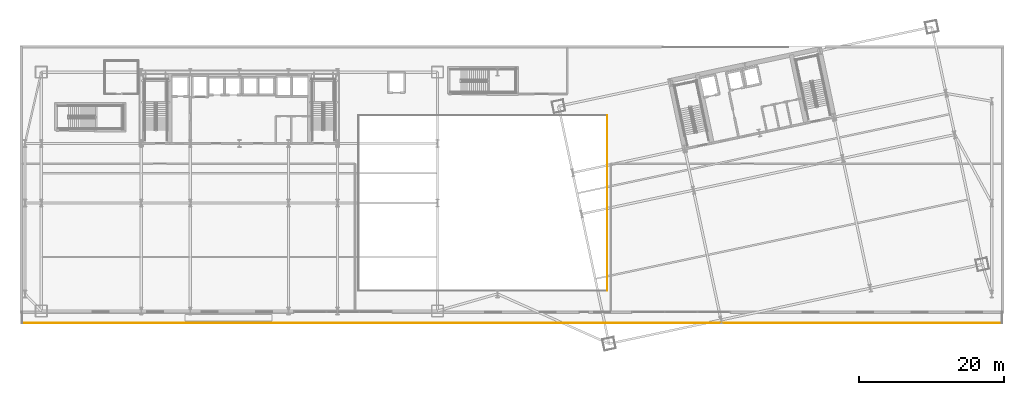
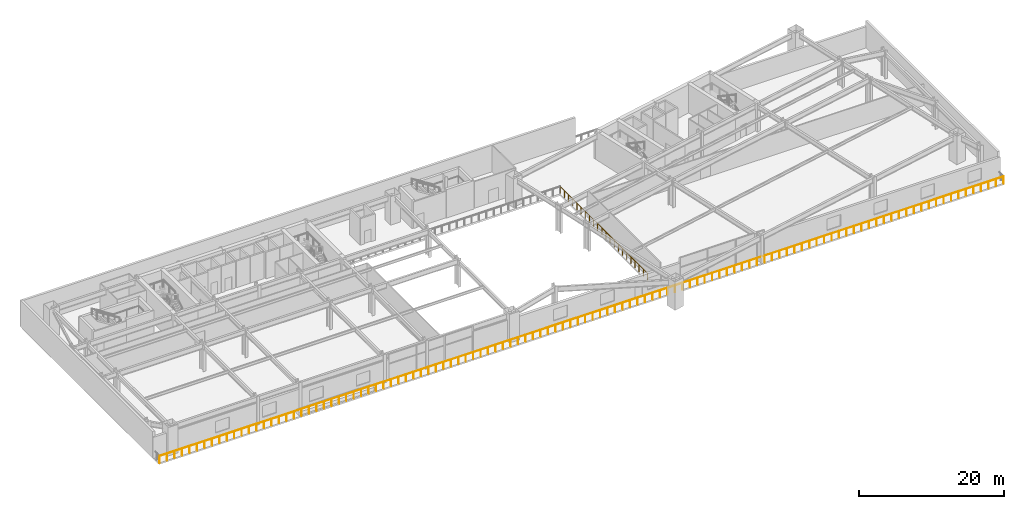
# One storey, part 24 of 28: 2 railings.
"""IFC4 building model written with IfcOpenShell, lengths in metres."""

from ifc_helpers import new_model, si_unit, direction, frame, origin, origin_2d, place, context, subcontext, project, spatial, rectangle, extrude, material, type_object, element, save


model = new_model("IFC4")

# Units and contexts
model_context = context("Model", 3, precision=1e-05, world=origin(), true_north=direction((0.0, 1.0)))
body_context = subcontext(model_context, "Body", "Model", "MODEL_VIEW")
ifc_project = project(units=[si_unit("LENGTHUNIT", "METRE"), si_unit("AREAUNIT", "SQUARE_METRE"), si_unit("VOLUMEUNIT", "CUBIC_METRE"), si_unit("PLANEANGLEUNIT", "RADIAN"), si_unit("MASSUNIT", "GRAM", prefix="KILO")], contexts=[model_context])

# Site, building, storey
site_placement = place(None, origin())
site = spatial("IfcSite", under=ifc_project, at=site_placement, CompositionType="ELEMENT")
building_placement = place(site_placement, origin())
building = spatial("IfcBuilding", under=site, at=building_placement, Name="Haevon Station Towers", CompositionType="ELEMENT")
storey_placement = place(building_placement, frame((0.0, 0.0, 10.800048828125)))
storey = spatial("IfcBuildingStorey", under=building, at=storey_placement, Name="L02", CompositionType="ELEMENT", Elevation=10.800048828125)

# Railings
ifc_material = material(Name="Steel S355", Category="steel")
railing_type_1 = type_object("IfcRailingType", Name="BAL-ATR1200", PredefinedType="BALUSTRADE", material=ifc_material)
railing_1_placement = place(storey_placement, frame((88.09814453125, 17.930908203125, 0.0)))
element("IfcRailing", 1, at=railing_1_placement, inside=storey, type_object=railing_type_1, Name="L02 Atrium Void Balustrade 2", PredefinedType="BALUSTRADE", context=body_context, shape_type="SweptSolid", body=[
    extrude(rectangle(XDim=0.048095703125, YDim=0.048095703125, at=origin_2d()), frame((0.0, 0.0, 1.17578125), z_axis=(0.0, 1.0, 0.0), x_axis=(-1.0, 0.0, 0.0)), (0.0, 0.0, 1.0), 24.13818359375),
    extrude(rectangle(XDim=0.0419921875, YDim=0.0419921875, at=origin_2d()), origin(), (0.0, 0.0, 1.0), 1.15185546875),
    extrude(rectangle(XDim=0.0419921875, YDim=0.0419921875, at=origin_2d()), frame((0.0, 1.1494140625, 0.0)), (0.0, 0.0, 1.0), 1.15185546875),
    extrude(rectangle(XDim=0.0419921875, YDim=0.0419921875, at=origin_2d()), frame((0.0, 2.298828125, 0.0)), (0.0, 0.0, 1.0), 1.15185546875),
    extrude(rectangle(XDim=0.0419921875, YDim=0.0419921875, at=origin_2d()), frame((0.0, 3.4482421875, 0.0)), (0.0, 0.0, 1.0), 1.15185546875),
    extrude(rectangle(XDim=0.0419921875, YDim=0.0419921875, at=origin_2d()), frame((0.0, 4.59765625, 0.0)), (0.0, 0.0, 1.0), 1.15185546875),
    extrude(rectangle(XDim=0.0419921875, YDim=0.0419921875, at=origin_2d()), frame((0.0, 5.7470703125, 0.0)), (0.0, 0.0, 1.0), 1.15185546875),
    extrude(rectangle(XDim=0.0419921875, YDim=0.0419921875, at=origin_2d()), frame((0.0, 6.896728515625, 0.0)), (0.0, 0.0, 1.0), 1.15185546875),
    extrude(rectangle(XDim=0.0419921875, YDim=0.0419921875, at=origin_2d()), frame((0.0, 8.046142578125, 0.0)), (0.0, 0.0, 1.0), 1.15185546875),
    extrude(rectangle(XDim=0.0419921875, YDim=0.0419921875, at=origin_2d()), frame((0.0, 9.195556640625, 0.0)), (0.0, 0.0, 1.0), 1.15185546875),
    extrude(rectangle(XDim=0.0419921875, YDim=0.0419921875, at=origin_2d()), frame((0.0, 10.344970703125, 0.0)), (0.0, 0.0, 1.0), 1.15185546875),
    extrude(rectangle(XDim=0.0419921875, YDim=0.0419921875, at=origin_2d()), frame((0.0, 11.494384765625, 0.0)), (0.0, 0.0, 1.0), 1.15185546875),
    extrude(rectangle(XDim=0.0419921875, YDim=0.0419921875, at=origin_2d()), frame((0.0, 12.643798828125, 0.0)), (0.0, 0.0, 1.0), 1.15185546875),
    extrude(rectangle(XDim=0.0419921875, YDim=0.0419921875, at=origin_2d()), frame((0.0, 13.793212890625, 0.0)), (0.0, 0.0, 1.0), 1.15185546875),
    extrude(rectangle(XDim=0.0419921875, YDim=0.0419921875, at=origin_2d()), frame((0.0, 14.942626953125, 0.0)), (0.0, 0.0, 1.0), 1.15185546875),
    extrude(rectangle(XDim=0.0419921875, YDim=0.0419921875, at=origin_2d()), frame((0.0, 16.092041015625, 0.0)), (0.0, 0.0, 1.0), 1.15185546875),
    extrude(rectangle(XDim=0.0419921875, YDim=0.0419921875, at=origin_2d()), frame((0.0, 17.241455078125, 0.0)), (0.0, 0.0, 1.0), 1.15185546875),
    extrude(rectangle(XDim=0.0419921875, YDim=0.0419921875, at=origin_2d()), frame((0.0, 18.39111328125, 0.0)), (0.0, 0.0, 1.0), 1.15185546875),
    extrude(rectangle(XDim=0.0419921875, YDim=0.0419921875, at=origin_2d()), frame((0.0, 19.54052734375, 0.0)), (0.0, 0.0, 1.0), 1.15185546875),
    extrude(rectangle(XDim=0.0419921875, YDim=0.0419921875, at=origin_2d()), frame((0.0, 20.68994140625, 0.0)), (0.0, 0.0, 1.0), 1.15185546875),
    extrude(rectangle(XDim=0.0419921875, YDim=0.0419921875, at=origin_2d()), frame((0.0, 21.83935546875, 0.0)), (0.0, 0.0, 1.0), 1.15185546875),
    extrude(rectangle(XDim=0.0419921875, YDim=0.0419921875, at=origin_2d()), frame((0.0, 22.98876953125, 0.0)), (0.0, 0.0, 1.0), 1.15185546875),
    extrude(rectangle(XDim=0.0419921875, YDim=0.0419921875, at=origin_2d()), frame((0.0, 24.13818359375, 0.0)), (0.0, 0.0, 1.0), 1.15185546875),
])
railing_type_2 = type_object("IfcRailingType", Name="GRD-EXT1200", PredefinedType="GUARDRAIL", material=ifc_material)
railing_2_placement = place(storey_placement, frame((7.580078125, 13.5009765625, 0.0)))
element("IfcRailing", 2, at=railing_2_placement, inside=storey, type_object=railing_type_2, Name="L02 Perimeter Guardrail 1", PredefinedType="GUARDRAIL", context=body_context, shape_type="SweptSolid", body=[
    extrude(rectangle(XDim=0.048095703125, YDim=0.048095703125, at=origin_2d()), frame((0.0, 0.0, 1.17578125), z_axis=(1.0, 0.0, 0.0), x_axis=(0.0, 1.0, 0.0)), (0.0, 0.0, 1.0), 134.83984375),
    extrude(rectangle(XDim=0.0419921875, YDim=0.0419921875, at=origin_2d()), origin(), (0.0, 0.0, 1.0), 1.15185546875),
    extrude(rectangle(XDim=0.0419921875, YDim=0.0419921875, at=origin_2d()), frame((1.193359375, 0.0, 0.0)), (0.0, 0.0, 1.0), 1.15185546875),
    extrude(rectangle(XDim=0.0419921875, YDim=0.0419921875, at=origin_2d()), frame((2.386474609375, 0.0, 0.0)), (0.0, 0.0, 1.0), 1.15185546875),
    extrude(rectangle(XDim=0.0419921875, YDim=0.0419921875, at=origin_2d()), frame((3.579833984375, 0.0, 0.0)), (0.0, 0.0, 1.0), 1.15185546875),
    extrude(rectangle(XDim=0.0419921875, YDim=0.0419921875, at=origin_2d()), frame((4.773193359375, 0.0, 0.0)), (0.0, 0.0, 1.0), 1.15185546875),
    extrude(rectangle(XDim=0.0419921875, YDim=0.0419921875, at=origin_2d()), frame((5.96630859375, 0.0, 0.0)), (0.0, 0.0, 1.0), 1.15185546875),
    extrude(rectangle(XDim=0.0419921875, YDim=0.0419921875, at=origin_2d()), frame((7.15966796875, 0.0, 0.0)), (0.0, 0.0, 1.0), 1.15185546875),
    extrude(rectangle(XDim=0.0419921875, YDim=0.0419921875, at=origin_2d()), frame((8.35302734375, 0.0, 0.0)), (0.0, 0.0, 1.0), 1.15185546875),
    extrude(rectangle(XDim=0.0419921875, YDim=0.0419921875, at=origin_2d()), frame((9.546142578125, 0.0, 0.0)), (0.0, 0.0, 1.0), 1.15185546875),
    extrude(rectangle(XDim=0.0419921875, YDim=0.0419921875, at=origin_2d()), frame((10.739501953125, 0.0, 0.0)), (0.0, 0.0, 1.0), 1.15185546875),
    extrude(rectangle(XDim=0.0419921875, YDim=0.0419921875, at=origin_2d()), frame((11.9326171875, 0.0, 0.0)), (0.0, 0.0, 1.0), 1.15185546875),
    extrude(rectangle(XDim=0.0419921875, YDim=0.0419921875, at=origin_2d()), frame((13.1259765625, 0.0, 0.0)), (0.0, 0.0, 1.0), 1.15185546875),
    extrude(rectangle(XDim=0.0419921875, YDim=0.0419921875, at=origin_2d()), frame((14.3193359375, 0.0, 0.0)), (0.0, 0.0, 1.0), 1.15185546875),
    extrude(rectangle(XDim=0.0419921875, YDim=0.0419921875, at=origin_2d()), frame((15.512451171875, 0.0, 0.0)), (0.0, 0.0, 1.0), 1.15185546875),
    extrude(rectangle(XDim=0.0419921875, YDim=0.0419921875, at=origin_2d()), frame((16.705810546875, 0.0, 0.0)), (0.0, 0.0, 1.0), 1.15185546875),
    extrude(rectangle(XDim=0.0419921875, YDim=0.0419921875, at=origin_2d()), frame((17.899169921875, 0.0, 0.0)), (0.0, 0.0, 1.0), 1.15185546875),
    extrude(rectangle(XDim=0.0419921875, YDim=0.0419921875, at=origin_2d()), frame((19.09228515625, 0.0, 0.0)), (0.0, 0.0, 1.0), 1.15185546875),
    extrude(rectangle(XDim=0.0419921875, YDim=0.0419921875, at=origin_2d()), frame((20.28564453125, 0.0, 0.0)), (0.0, 0.0, 1.0), 1.15185546875),
    extrude(rectangle(XDim=0.0419921875, YDim=0.0419921875, at=origin_2d()), frame((21.47900390625, 0.0, 0.0)), (0.0, 0.0, 1.0), 1.15185546875),
    extrude(rectangle(XDim=0.0419921875, YDim=0.0419921875, at=origin_2d()), frame((22.672119140625, 0.0, 0.0)), (0.0, 0.0, 1.0), 1.15185546875),
    extrude(rectangle(XDim=0.0419921875, YDim=0.0419921875, at=origin_2d()), frame((23.865478515625, 0.0, 0.0)), (0.0, 0.0, 1.0), 1.15185546875),
    extrude(rectangle(XDim=0.0419921875, YDim=0.0419921875, at=origin_2d()), frame((25.058837890625, 0.0, 0.0)), (0.0, 0.0, 1.0), 1.15185546875),
    extrude(rectangle(XDim=0.0419921875, YDim=0.0419921875, at=origin_2d()), frame((26.251953125, 0.0, 0.0)), (0.0, 0.0, 1.0), 1.15185546875),
    extrude(rectangle(XDim=0.0419921875, YDim=0.0419921875, at=origin_2d()), frame((27.4453125, 0.0, 0.0)), (0.0, 0.0, 1.0), 1.15185546875),
    extrude(rectangle(XDim=0.0419921875, YDim=0.0419921875, at=origin_2d()), frame((28.638671875, 0.0, 0.0)), (0.0, 0.0, 1.0), 1.15185546875),
    extrude(rectangle(XDim=0.0419921875, YDim=0.0419921875, at=origin_2d()), frame((29.831787109375, 0.0, 0.0)), (0.0, 0.0, 1.0), 1.15185546875),
    extrude(rectangle(XDim=0.0419921875, YDim=0.0419921875, at=origin_2d()), frame((31.025146484375, 0.0, 0.0)), (0.0, 0.0, 1.0), 1.15185546875),
    extrude(rectangle(XDim=0.0419921875, YDim=0.0419921875, at=origin_2d()), frame((32.21826171875, 0.0, 0.0)), (0.0, 0.0, 1.0), 1.15185546875),
    extrude(rectangle(XDim=0.0419921875, YDim=0.0419921875, at=origin_2d()), frame((33.41162109375, 0.0, 0.0)), (0.0, 0.0, 1.0), 1.15185546875),
    extrude(rectangle(XDim=0.0419921875, YDim=0.0419921875, at=origin_2d()), frame((34.60498046875, 0.0, 0.0)), (0.0, 0.0, 1.0), 1.15185546875),
    extrude(rectangle(XDim=0.0419921875, YDim=0.0419921875, at=origin_2d()), frame((35.798095703125, 0.0, 0.0)), (0.0, 0.0, 1.0), 1.15185546875),
    extrude(rectangle(XDim=0.0419921875, YDim=0.0419921875, at=origin_2d()), frame((36.991455078125, 0.0, 0.0)), (0.0, 0.0, 1.0), 1.15185546875),
    extrude(rectangle(XDim=0.0419921875, YDim=0.0419921875, at=origin_2d()), frame((38.184814453125, 0.0, 0.0)), (0.0, 0.0, 1.0), 1.15185546875),
    extrude(rectangle(XDim=0.0419921875, YDim=0.0419921875, at=origin_2d()), frame((39.3779296875, 0.0, 0.0)), (0.0, 0.0, 1.0), 1.15185546875),
    extrude(rectangle(XDim=0.0419921875, YDim=0.0419921875, at=origin_2d()), frame((40.5712890625, 0.0, 0.0)), (0.0, 0.0, 1.0), 1.15185546875),
    extrude(rectangle(XDim=0.0419921875, YDim=0.0419921875, at=origin_2d()), frame((41.7646484375, 0.0, 0.0)), (0.0, 0.0, 1.0), 1.15185546875),
    extrude(rectangle(XDim=0.0419921875, YDim=0.0419921875, at=origin_2d()), frame((42.957763671875, 0.0, 0.0)), (0.0, 0.0, 1.0), 1.15185546875),
    extrude(rectangle(XDim=0.0419921875, YDim=0.0419921875, at=origin_2d()), frame((44.151123046875, 0.0, 0.0)), (0.0, 0.0, 1.0), 1.15185546875),
    extrude(rectangle(XDim=0.0419921875, YDim=0.0419921875, at=origin_2d()), frame((45.344482421875, 0.0, 0.0)), (0.0, 0.0, 1.0), 1.15185546875),
    extrude(rectangle(XDim=0.0419921875, YDim=0.0419921875, at=origin_2d()), frame((46.53759765625, 0.0, 0.0)), (0.0, 0.0, 1.0), 1.15185546875),
    extrude(rectangle(XDim=0.0419921875, YDim=0.0419921875, at=origin_2d()), frame((47.73095703125, 0.0, 0.0)), (0.0, 0.0, 1.0), 1.15185546875),
    extrude(rectangle(XDim=0.0419921875, YDim=0.0419921875, at=origin_2d()), frame((48.924072265625, 0.0, 0.0)), (0.0, 0.0, 1.0), 1.15185546875),
    extrude(rectangle(XDim=0.0419921875, YDim=0.0419921875, at=origin_2d()), frame((50.117431640625, 0.0, 0.0)), (0.0, 0.0, 1.0), 1.15185546875),
    extrude(rectangle(XDim=0.0419921875, YDim=0.0419921875, at=origin_2d()), frame((51.310791015625, 0.0, 0.0)), (0.0, 0.0, 1.0), 1.15185546875),
    extrude(rectangle(XDim=0.0419921875, YDim=0.0419921875, at=origin_2d()), frame((52.50390625, 0.0, 0.0)), (0.0, 0.0, 1.0), 1.15185546875),
    extrude(rectangle(XDim=0.0419921875, YDim=0.0419921875, at=origin_2d()), frame((53.697265625, 0.0, 0.0)), (0.0, 0.0, 1.0), 1.15185546875),
    extrude(rectangle(XDim=0.0419921875, YDim=0.0419921875, at=origin_2d()), frame((54.890625, 0.0, 0.0)), (0.0, 0.0, 1.0), 1.15185546875),
    extrude(rectangle(XDim=0.0419921875, YDim=0.0419921875, at=origin_2d()), frame((56.083740234375, 0.0, 0.0)), (0.0, 0.0, 1.0), 1.15185546875),
    extrude(rectangle(XDim=0.0419921875, YDim=0.0419921875, at=origin_2d()), frame((57.277099609375, 0.0, 0.0)), (0.0, 0.0, 1.0), 1.15185546875),
    extrude(rectangle(XDim=0.0419921875, YDim=0.0419921875, at=origin_2d()), frame((58.470458984375, 0.0, 0.0)), (0.0, 0.0, 1.0), 1.15185546875),
    extrude(rectangle(XDim=0.0419921875, YDim=0.0419921875, at=origin_2d()), frame((59.66357421875, 0.0, 0.0)), (0.0, 0.0, 1.0), 1.15185546875),
    extrude(rectangle(XDim=0.0419921875, YDim=0.0419921875, at=origin_2d()), frame((60.85693359375, 0.0, 0.0)), (0.0, 0.0, 1.0), 1.15185546875),
    extrude(rectangle(XDim=0.0419921875, YDim=0.0419921875, at=origin_2d()), frame((62.05029296875, 0.0, 0.0)), (0.0, 0.0, 1.0), 1.15185546875),
    extrude(rectangle(XDim=0.0419921875, YDim=0.0419921875, at=origin_2d()), frame((63.243408203125, 0.0, 0.0)), (0.0, 0.0, 1.0), 1.15185546875),
    extrude(rectangle(XDim=0.0419921875, YDim=0.0419921875, at=origin_2d()), frame((64.436767578125, 0.0, 0.0)), (0.0, 0.0, 1.0), 1.15185546875),
    extrude(rectangle(XDim=0.0419921875, YDim=0.0419921875, at=origin_2d()), frame((65.630126953125, 0.0, 0.0)), (0.0, 0.0, 1.0), 1.15185546875),
    extrude(rectangle(XDim=0.0419921875, YDim=0.0419921875, at=origin_2d()), frame((66.8232421875, 0.0, 0.0)), (0.0, 0.0, 1.0), 1.15185546875),
    extrude(rectangle(XDim=0.0419921875, YDim=0.0419921875, at=origin_2d()), frame((68.0166015625, 0.0, 0.0)), (0.0, 0.0, 1.0), 1.15185546875),
    extrude(rectangle(XDim=0.0419921875, YDim=0.0419921875, at=origin_2d()), frame((69.209716796875, 0.0, 0.0)), (0.0, 0.0, 1.0), 1.15185546875),
    extrude(rectangle(XDim=0.0419921875, YDim=0.0419921875, at=origin_2d()), frame((70.403076171875, 0.0, 0.0)), (0.0, 0.0, 1.0), 1.15185546875),
    extrude(rectangle(XDim=0.0419921875, YDim=0.0419921875, at=origin_2d()), frame((71.596435546875, 0.0, 0.0)), (0.0, 0.0, 1.0), 1.15185546875),
    extrude(rectangle(XDim=0.0419921875, YDim=0.0419921875, at=origin_2d()), frame((72.78955078125, 0.0, 0.0)), (0.0, 0.0, 1.0), 1.15185546875),
    extrude(rectangle(XDim=0.0419921875, YDim=0.0419921875, at=origin_2d()), frame((73.98291015625, 0.0, 0.0)), (0.0, 0.0, 1.0), 1.15185546875),
    extrude(rectangle(XDim=0.0419921875, YDim=0.0419921875, at=origin_2d()), frame((75.17626953125, 0.0, 0.0)), (0.0, 0.0, 1.0), 1.15185546875),
    extrude(rectangle(XDim=0.0419921875, YDim=0.0419921875, at=origin_2d()), frame((76.369384765625, 0.0, 0.0)), (0.0, 0.0, 1.0), 1.15185546875),
    extrude(rectangle(XDim=0.0419921875, YDim=0.0419921875, at=origin_2d()), frame((77.562744140625, 0.0, 0.0)), (0.0, 0.0, 1.0), 1.15185546875),
    extrude(rectangle(XDim=0.0419921875, YDim=0.0419921875, at=origin_2d()), frame((78.756103515625, 0.0, 0.0)), (0.0, 0.0, 1.0), 1.15185546875),
    extrude(rectangle(XDim=0.0419921875, YDim=0.0419921875, at=origin_2d()), frame((79.94921875, 0.0, 0.0)), (0.0, 0.0, 1.0), 1.15185546875),
    extrude(rectangle(XDim=0.0419921875, YDim=0.0419921875, at=origin_2d()), frame((81.142578125, 0.0, 0.0)), (0.0, 0.0, 1.0), 1.15185546875),
    extrude(rectangle(XDim=0.0419921875, YDim=0.0419921875, at=origin_2d()), frame((82.3359375, 0.0, 0.0)), (0.0, 0.0, 1.0), 1.15185546875),
    extrude(rectangle(XDim=0.0419921875, YDim=0.0419921875, at=origin_2d()), frame((83.529052734375, 0.0, 0.0)), (0.0, 0.0, 1.0), 1.15185546875),
    extrude(rectangle(XDim=0.0419921875, YDim=0.0419921875, at=origin_2d()), frame((84.722412109375, 0.0, 0.0)), (0.0, 0.0, 1.0), 1.15185546875),
    extrude(rectangle(XDim=0.0419921875, YDim=0.0419921875, at=origin_2d()), frame((85.915771484375, 0.0, 0.0)), (0.0, 0.0, 1.0), 1.15185546875),
    extrude(rectangle(XDim=0.0419921875, YDim=0.0419921875, at=origin_2d()), frame((87.10888671875, 0.0, 0.0)), (0.0, 0.0, 1.0), 1.15185546875),
    extrude(rectangle(XDim=0.0419921875, YDim=0.0419921875, at=origin_2d()), frame((88.30224609375, 0.0, 0.0)), (0.0, 0.0, 1.0), 1.15185546875),
    extrude(rectangle(XDim=0.0419921875, YDim=0.0419921875, at=origin_2d()), frame((89.495361328125, 0.0, 0.0)), (0.0, 0.0, 1.0), 1.15185546875),
    extrude(rectangle(XDim=0.0419921875, YDim=0.0419921875, at=origin_2d()), frame((90.688720703125, 0.0, 0.0)), (0.0, 0.0, 1.0), 1.15185546875),
    extrude(rectangle(XDim=0.0419921875, YDim=0.0419921875, at=origin_2d()), frame((91.882080078125, 0.0, 0.0)), (0.0, 0.0, 1.0), 1.15185546875),
    extrude(rectangle(XDim=0.0419921875, YDim=0.0419921875, at=origin_2d()), frame((93.0751953125, 0.0, 0.0)), (0.0, 0.0, 1.0), 1.15185546875),
    extrude(rectangle(XDim=0.0419921875, YDim=0.0419921875, at=origin_2d()), frame((94.2685546875, 0.0, 0.0)), (0.0, 0.0, 1.0), 1.15185546875),
    extrude(rectangle(XDim=0.0419921875, YDim=0.0419921875, at=origin_2d()), frame((95.4619140625, 0.0, 0.0)), (0.0, 0.0, 1.0), 1.15185546875),
    extrude(rectangle(XDim=0.0419921875, YDim=0.0419921875, at=origin_2d()), frame((96.655029296875, 0.0, 0.0)), (0.0, 0.0, 1.0), 1.15185546875),
    extrude(rectangle(XDim=0.0419921875, YDim=0.0419921875, at=origin_2d()), frame((97.848388671875, 0.0, 0.0)), (0.0, 0.0, 1.0), 1.15185546875),
    extrude(rectangle(XDim=0.0419921875, YDim=0.0419921875, at=origin_2d()), frame((99.041748046875, 0.0, 0.0)), (0.0, 0.0, 1.0), 1.15185546875),
    extrude(rectangle(XDim=0.0419921875, YDim=0.0419921875, at=origin_2d()), frame((100.23486328125, 0.0, 0.0)), (0.0, 0.0, 1.0), 1.15185546875),
    extrude(rectangle(XDim=0.0419921875, YDim=0.0419921875, at=origin_2d()), frame((101.42822265625, 0.0, 0.0)), (0.0, 0.0, 1.0), 1.15185546875),
    extrude(rectangle(XDim=0.0419921875, YDim=0.0419921875, at=origin_2d()), frame((102.62158203125, 0.0, 0.0)), (0.0, 0.0, 1.0), 1.15185546875),
    extrude(rectangle(XDim=0.0419921875, YDim=0.0419921875, at=origin_2d()), frame((103.814697265625, 0.0, 0.0)), (0.0, 0.0, 1.0), 1.15185546875),
    extrude(rectangle(XDim=0.0419921875, YDim=0.0419921875, at=origin_2d()), frame((105.008056640625, 0.0, 0.0)), (0.0, 0.0, 1.0), 1.15185546875),
    extrude(rectangle(XDim=0.0419921875, YDim=0.0419921875, at=origin_2d()), frame((106.201171875, 0.0, 0.0)), (0.0, 0.0, 1.0), 1.15185546875),
    extrude(rectangle(XDim=0.0419921875, YDim=0.0419921875, at=origin_2d()), frame((107.39453125, 0.0, 0.0)), (0.0, 0.0, 1.0), 1.15185546875),
    extrude(rectangle(XDim=0.0419921875, YDim=0.0419921875, at=origin_2d()), frame((108.587890625, 0.0, 0.0)), (0.0, 0.0, 1.0), 1.15185546875),
    extrude(rectangle(XDim=0.0419921875, YDim=0.0419921875, at=origin_2d()), frame((109.781005859375, 0.0, 0.0)), (0.0, 0.0, 1.0), 1.15185546875),
    extrude(rectangle(XDim=0.0419921875, YDim=0.0419921875, at=origin_2d()), frame((110.974365234375, 0.0, 0.0)), (0.0, 0.0, 1.0), 1.15185546875),
    extrude(rectangle(XDim=0.0419921875, YDim=0.0419921875, at=origin_2d()), frame((112.167724609375, 0.0, 0.0)), (0.0, 0.0, 1.0), 1.15185546875),
    extrude(rectangle(XDim=0.0419921875, YDim=0.0419921875, at=origin_2d()), frame((113.36083984375, 0.0, 0.0)), (0.0, 0.0, 1.0), 1.15185546875),
    extrude(rectangle(XDim=0.0419921875, YDim=0.0419921875, at=origin_2d()), frame((114.55419921875, 0.0, 0.0)), (0.0, 0.0, 1.0), 1.15185546875),
    extrude(rectangle(XDim=0.0419921875, YDim=0.0419921875, at=origin_2d()), frame((115.74755859375, 0.0, 0.0)), (0.0, 0.0, 1.0), 1.15185546875),
    extrude(rectangle(XDim=0.0419921875, YDim=0.0419921875, at=origin_2d()), frame((116.940673828125, 0.0, 0.0)), (0.0, 0.0, 1.0), 1.15185546875),
    extrude(rectangle(XDim=0.0419921875, YDim=0.0419921875, at=origin_2d()), frame((118.134033203125, 0.0, 0.0)), (0.0, 0.0, 1.0), 1.15185546875),
    extrude(rectangle(XDim=0.0419921875, YDim=0.0419921875, at=origin_2d()), frame((119.327392578125, 0.0, 0.0)), (0.0, 0.0, 1.0), 1.15185546875),
    extrude(rectangle(XDim=0.0419921875, YDim=0.0419921875, at=origin_2d()), frame((120.5205078125, 0.0, 0.0)), (0.0, 0.0, 1.0), 1.15185546875),
    extrude(rectangle(XDim=0.0419921875, YDim=0.0419921875, at=origin_2d()), frame((121.7138671875, 0.0, 0.0)), (0.0, 0.0, 1.0), 1.15185546875),
    extrude(rectangle(XDim=0.0419921875, YDim=0.0419921875, at=origin_2d()), frame((122.9072265625, 0.0, 0.0)), (0.0, 0.0, 1.0), 1.15185546875),
    extrude(rectangle(XDim=0.0419921875, YDim=0.0419921875, at=origin_2d()), frame((124.100341796875, 0.0, 0.0)), (0.0, 0.0, 1.0), 1.15185546875),
    extrude(rectangle(XDim=0.0419921875, YDim=0.0419921875, at=origin_2d()), frame((125.293701171875, 0.0, 0.0)), (0.0, 0.0, 1.0), 1.15185546875),
    extrude(rectangle(XDim=0.0419921875, YDim=0.0419921875, at=origin_2d()), frame((126.48681640625, 0.0, 0.0)), (0.0, 0.0, 1.0), 1.15185546875),
    extrude(rectangle(XDim=0.0419921875, YDim=0.0419921875, at=origin_2d()), frame((127.68017578125, 0.0, 0.0)), (0.0, 0.0, 1.0), 1.15185546875),
    extrude(rectangle(XDim=0.0419921875, YDim=0.0419921875, at=origin_2d()), frame((128.87353515625, 0.0, 0.0)), (0.0, 0.0, 1.0), 1.15185546875),
    extrude(rectangle(XDim=0.0419921875, YDim=0.0419921875, at=origin_2d()), frame((130.066650390625, 0.0, 0.0)), (0.0, 0.0, 1.0), 1.15185546875),
    extrude(rectangle(XDim=0.0419921875, YDim=0.0419921875, at=origin_2d()), frame((131.260009765625, 0.0, 0.0)), (0.0, 0.0, 1.0), 1.15185546875),
    extrude(rectangle(XDim=0.0419921875, YDim=0.0419921875, at=origin_2d()), frame((132.453369140625, 0.0, 0.0)), (0.0, 0.0, 1.0), 1.15185546875),
    extrude(rectangle(XDim=0.0419921875, YDim=0.0419921875, at=origin_2d()), frame((133.646484375, 0.0, 0.0)), (0.0, 0.0, 1.0), 1.15185546875),
    extrude(rectangle(XDim=0.0419921875, YDim=0.0419921875, at=origin_2d()), frame((134.83984375, 0.0, 0.0)), (0.0, 0.0, 1.0), 1.15185546875),
])

save(model, "model.ifc")
